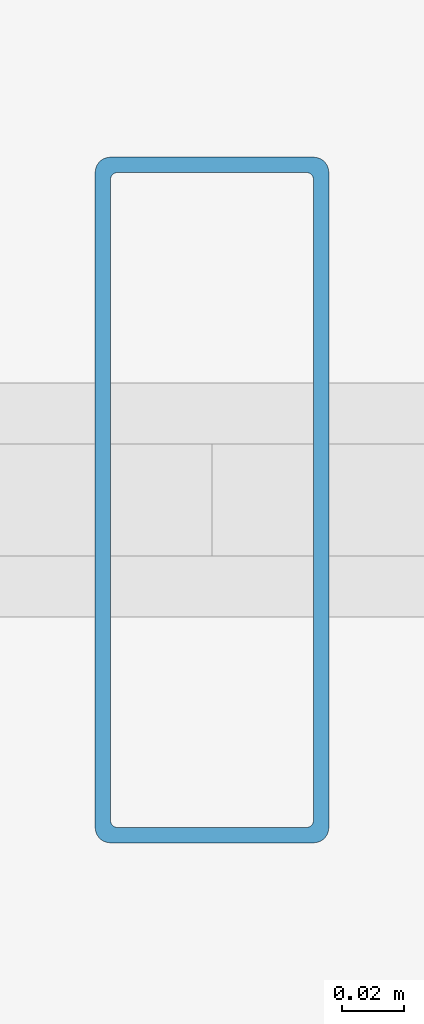
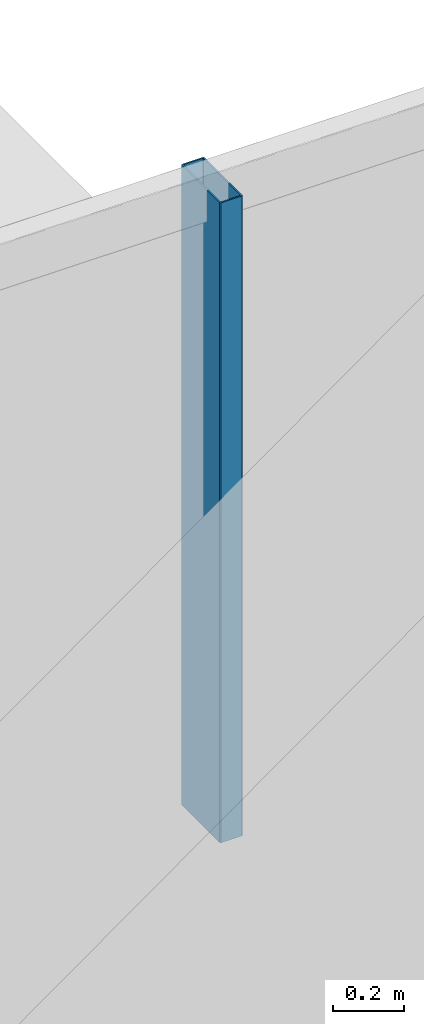
# One storey, part 9 of 17: 1 member, 1 element without a shape of its own.
"""IFC4 building model written with IfcOpenShell, lengths in metres."""

from ifc_helpers import new_model, si_unit, direction, frame, origin, origin_2d, place, context, subcontext, project, spatial, hollow_rectangle, extrude, material, material_profile, profile_set, type_object, element, aggregate, save


model = new_model("IFC4")

# Units and contexts
model_context = context("Model", 3, precision=1e-05, world=origin(), true_north=direction((0.0, 1.0)))
body_context = subcontext(model_context, "Body", "Model", "MODEL_VIEW")
ifc_project = project(units=[si_unit("LENGTHUNIT", "METRE"), si_unit("AREAUNIT", "SQUARE_METRE"), si_unit("VOLUMEUNIT", "CUBIC_METRE"), si_unit("PLANEANGLEUNIT", "RADIAN"), si_unit("MASSUNIT", "GRAM", prefix="KILO")], contexts=[model_context])

# Site, building, storey
site_placement = place(None, origin())
site = spatial("IfcSite", under=ifc_project, at=site_placement, CompositionType="ELEMENT")
building_placement = place(site_placement, origin())
building = spatial("IfcBuilding", under=site, at=building_placement, Name="Noeulbin Bourse Tower", CompositionType="ELEMENT")
storey_placement = place(building_placement, frame((0.0, 0.0, 196.800048828125)))
storey = spatial("IfcBuildingStorey", under=building, at=storey_placement, Name="L49", CompositionType="ELEMENT", Elevation=196.800048828125)

# Curtain wall, member
ifc_material_1 = material(Name="Dark Tinted Triple Glazing", Category="glass")
curtain_wall_type = type_object("IfcCurtainWallType", Name="CW-SYS-3", PredefinedType="NOTDEFINED", material=ifc_material_1)
curtain_wall_placement = place(storey_placement, origin())
curtain_wall = element("IfcCurtainWall", 1, at=curtain_wall_placement, inside=storey, type_object=curtain_wall_type, Name="Unitised Curtain Wall CW-L49-N", PredefinedType="NOTDEFINED")
ifc_material_2 = material(Name="Anodised Aluminium 6063-T6", Category="aluminium")
ifc_material_profile = material_profile(ifc_material_2, hollow_rectangle(XDim=0.074951171875, YDim=0.219970703125, WallThickness=0.0048828125, InnerFilletRadius=0.00244140625, OuterFilletRadius=0.0048828125, at=origin_2d()), Name="ALU-MULL-75x220x5", Category="LoadBearing")
ifc_profile_set = profile_set([ifc_material_profile], Name="Anodised Aluminium 6063-T6")
member_type = type_object("IfcMemberType", Name="CW-SYS-3-MUL", PredefinedType="MULLION", material=ifc_profile_set)
member_placement = place(storey_placement, frame((29.8310546875, 39.530029296875, -0.02001953125), z_axis=(0.0, 0.0, 1.0), x_axis=(1.0, 0.0, 0.0)))
member = element("IfcMember", 2, at=member_placement, type_object=member_type, Name="Curtain Wall Mullion CW-L49-N-M04", PredefinedType="MULLION", context=body_context, shape_type="SweptSolid", body=[
    extrude(hollow_rectangle(XDim=0.074951171875, YDim=0.219970703125, WallThickness=0.0048828125, InnerFilletRadius=0.00244140625, OuterFilletRadius=0.0048828125, at=origin_2d()), origin(), (0.0, 0.0, 1.0), 2.199951171875),
])
aggregate(curtain_wall, [member])

save(model, "model.ifc")
